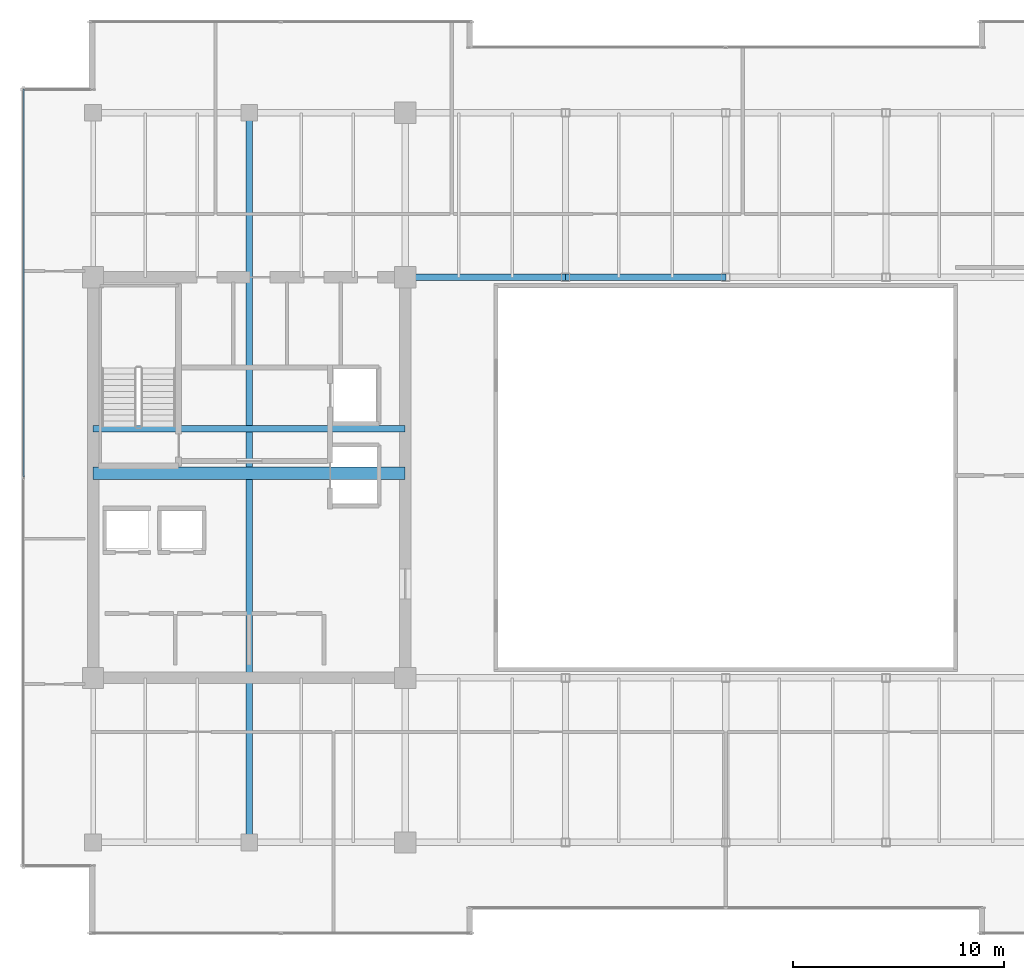
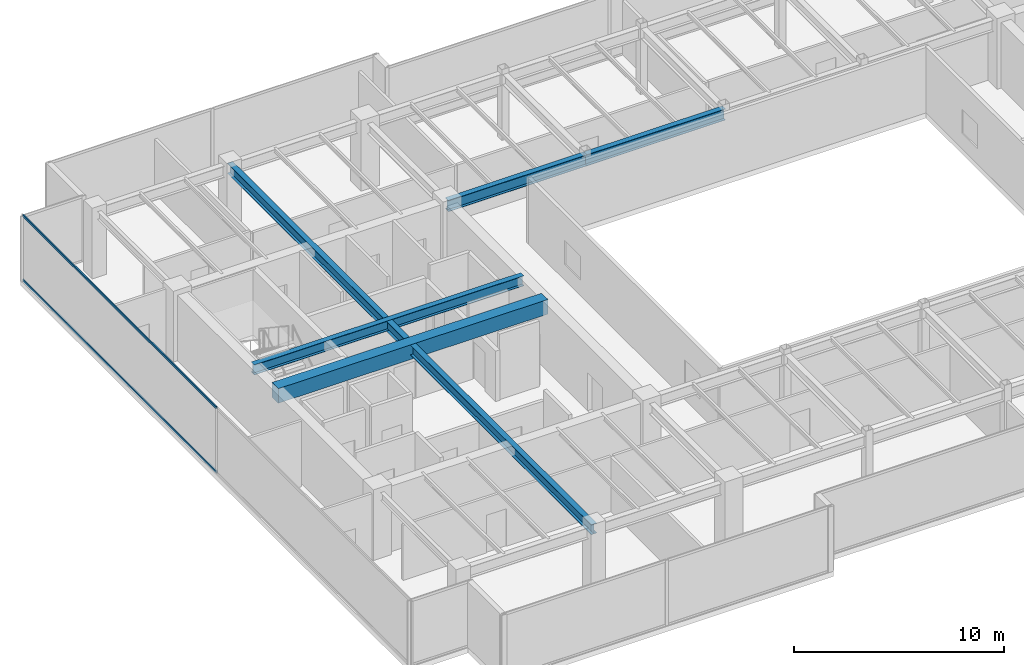
# One storey, part 10 of 33: 5 beams, 2 members, 1 element without a shape of its own.
"""IFC4 building model written with IfcOpenShell, lengths in metres."""

from ifc_helpers import new_model, si_unit, direction, frame, origin, origin_2d, place, context, subcontext, project, spatial, rectangle, hollow_rectangle, i_section, extrude, source, transform, mapped, material, layer, layer_set, material_profile, profile_set, type_object, type_shapes, element, aggregate, save


model = new_model("IFC4")

# Units and contexts
model_context = context("Model", 3, precision=1e-05, world=origin(), true_north=direction((0.0, 1.0)))
body_context = subcontext(model_context, "Body", "Model", "MODEL_VIEW")
ifc_project = project(units=[si_unit("LENGTHUNIT", "METRE"), si_unit("AREAUNIT", "SQUARE_METRE"), si_unit("VOLUMEUNIT", "CUBIC_METRE"), si_unit("PLANEANGLEUNIT", "RADIAN"), si_unit("MASSUNIT", "GRAM", prefix="KILO")], contexts=[model_context])

# Site, building, storey
site_placement = place(None, origin())
site = spatial("IfcSite", under=ifc_project, at=site_placement, CompositionType="ELEMENT")
building_placement = place(site_placement, origin())
building = spatial("IfcBuilding", under=site, at=building_placement, Name="Haelvirn Gate Laboratories", CompositionType="ELEMENT")
storey_placement = place(building_placement, frame((0.0, 0.0, 258.800048828125)))
storey = spatial("IfcBuildingStorey", under=building, at=storey_placement, Name="L62", CompositionType="ELEMENT", Elevation=258.800048828125)

# Beams
ifc_material_1 = material(Name="Steel SM355", Category="steel")
ifc_material_profile_1 = material_profile(ifc_material_1, i_section(OverallWidth=0.300048828125, OverallDepth=0.587890625, WebThickness=0.011962890625, FlangeThickness=0.02001953125, at=origin_2d()), Name="H-588x300x12x20")
ifc_profile_set_1 = profile_set([ifc_material_profile_1], Name="Steel SM355")
beam_type_1 = type_object("IfcBeamType", Name="BM-G-588", PredefinedType="BEAM", material=ifc_profile_set_1)
shared_shape_1 = source(origin(), body_context, "Body", "SweptSolid", [
    extrude(i_section(OverallWidth=0.300048828125, OverallDepth=0.587890625, WebThickness=0.011962890625, FlangeThickness=0.02001953125, at=origin_2d()), origin(), (0.0, 0.0, 1.0), 14.800048828125),
])
beam_1_placement = place(storey_placement, frame((7.39990234375, 26.6201171875, 3.505859375), z_axis=(1.0, 0.0, 0.0), x_axis=(0.0, 1.0, 0.0)))
element("IfcBeam", 1, at=beam_1_placement, inside=storey, type_object=beam_type_1, Name="L62 Stair ST1 Landing Header", PredefinedType="BEAM", context=body_context, shape_type="MappedRepresentation", body=[
    mapped(shared_shape_1, transform((0.0, 0.0, 0.0), scale=1.0)),
])
shared_shape_2 = source(origin(), body_context, "Body", "SweptSolid", [
    extrude(i_section(OverallWidth=0.300048828125, OverallDepth=0.587890625, WebThickness=0.011962890625, FlangeThickness=0.02001953125, at=origin_2d()), origin(), (0.0, 0.0, 1.0), 34.60009765625),
])
type_shapes(beam_type_1, [shared_shape_1, shared_shape_2])
beam_2_placement = place(storey_placement, frame((14.800048828125, 7.0, 3.505859375), z_axis=(0.0, 1.0, 0.0), x_axis=(-1.0, 0.0, 0.0)))
element("IfcBeam", 2, at=beam_2_placement, inside=storey, type_object=beam_type_1, Name="L62 Frame Girder X14.8 (7.0-41.6)", PredefinedType="BEAM", context=body_context, shape_type="MappedRepresentation", body=[
    mapped(shared_shape_2, transform((0.0, 0.0, 0.0), scale=1.0)),
])
ifc_material_2 = material(Name="Concrete C50/60", Category="concrete")
ifc_material_profile_2 = material_profile(ifc_material_2, rectangle(XDim=0.60009765625, YDim=0.85009765625, at=origin_2d()), Name="RCB-600x850")
ifc_profile_set_2 = profile_set([ifc_material_profile_2], Name="Concrete C50/60")
beam_type_2 = type_object("IfcBeamType", Name="BM-RCB-850", PredefinedType="LINTEL", material=ifc_profile_set_2)
shared_shape_3 = source(origin(), body_context, "Body", "SweptSolid", [
    extrude(rectangle(XDim=0.60009765625, YDim=0.85009765625, at=origin_2d()), origin(), (0.0, 0.0, 1.0), 14.800048828125),
])
type_shapes(beam_type_2, [shared_shape_3])
beam_3_placement = place(storey_placement, frame((7.39990234375, 24.5, 3.375), z_axis=(1.0, 0.0, 0.0), x_axis=(0.0, 1.0, 0.0)))
element("IfcBeam", 3, at=beam_3_placement, inside=storey, type_object=beam_type_2, Name="L62 West Core Coupling Beam", PredefinedType="LINTEL", context=body_context, shape_type="MappedRepresentation", body=[
    mapped(shared_shape_3, transform((0.0, 0.0, 0.0), scale=1.0)),
])
ifc_material_profile_3 = material_profile(ifc_material_1, i_section(OverallWidth=0.300048828125, OverallDepth=0.64990234375, WebThickness=0.012939453125, FlangeThickness=0.02197265625, at=origin_2d()), Name="H-650x300x13x22")
ifc_profile_set_3 = profile_set([ifc_material_profile_3], Name="Steel SM355")
beam_type_3 = type_object("IfcBeamType", Name="BM-G-650", PredefinedType="BEAM", material=ifc_profile_set_3)
shared_shape_4 = source(origin(), body_context, "Body", "SweptSolid", [
    extrude(i_section(OverallWidth=0.300048828125, OverallDepth=0.64990234375, WebThickness=0.012939453125, FlangeThickness=0.02197265625, at=origin_2d()), origin(), (0.0, 0.0, 1.0), 7.60009765625),
])
beam_4_placement = place(storey_placement, frame((22.199951171875, 33.800048828125, 3.474853515625), z_axis=(1.0, 0.0, 0.0), x_axis=(0.0, 1.0, 0.0)))
element("IfcBeam", 4, at=beam_4_placement, inside=storey, type_object=beam_type_3, Name="L62 Primary Girder Y33.8 (22.2-29.8)", PredefinedType="BEAM", context=body_context, shape_type="MappedRepresentation", body=[
    mapped(shared_shape_4, transform((0.0, 0.0, 0.0), scale=1.0)),
])
shared_shape_5 = source(origin(), body_context, "Body", "SweptSolid", [
    extrude(i_section(OverallWidth=0.300048828125, OverallDepth=0.64990234375, WebThickness=0.012939453125, FlangeThickness=0.02197265625, at=origin_2d()), origin(), (0.0, 0.0, 1.0), 7.599853515625),
])
type_shapes(beam_type_3, [shared_shape_4, shared_shape_5])
beam_5_placement = place(storey_placement, frame((29.800048828125, 33.800048828125, 3.474853515625), z_axis=(1.0, 0.0, 0.0), x_axis=(0.0, 1.0, 0.0)))
element("IfcBeam", 5, at=beam_5_placement, inside=storey, type_object=beam_type_3, Name="L62 Primary Girder Y33.8 (29.8-37.4)", PredefinedType="BEAM", context=body_context, shape_type="MappedRepresentation", body=[
    mapped(shared_shape_5, transform((0.0, 0.0, 0.0), scale=1.0)),
])

# Curtain wall, members
ifc_material_3 = material(Name="Anodised bronze unitised aluminium & triple low-E glass", Category="aluminium")
ifc_layer = layer(ifc_material_3, 0.176025390625, Name="CW-SYS-4")
ifc_layer_set = layer_set([ifc_layer], Name="Anodised bronze unitised aluminium & triple low-E glass")
curtain_wall_type = type_object("IfcCurtainWallType", Name="CW-SYS-4", PredefinedType="NOTDEFINED", material=ifc_layer_set)
curtain_wall_placement = place(storey_placement, origin())
curtain_wall = element("IfcCurtainWall", 6, at=curtain_wall_placement, inside=storey, type_object=curtain_wall_type, Name="L62 Unitised Curtain Wall CW-L62-P0-E17", PredefinedType="NOTDEFINED")
ifc_material_4 = material(Name="Extruded aluminium 6063-T6 (anodised bronze)", Category="aluminium")
ifc_material_profile_4 = material_profile(ifc_material_4, hollow_rectangle(XDim=0.06494140625, YDim=0.139892578125, WallThickness=0.00390625, at=origin_2d()), Name="CWT-140x65x4")
ifc_profile_set_4 = profile_set([ifc_material_profile_4], Name="Extruded aluminium 6063-T6 (anodised bronze)")
member_type = type_object("IfcMemberType", Name="CWT-T140", PredefinedType="USERDEFINED", material=ifc_profile_set_4)
shared_shape_6 = source(origin(), body_context, "Body", "SweptSolid", [
    extrude(hollow_rectangle(XDim=0.06494140625, YDim=0.139892578125, WallThickness=0.00390625, at=origin_2d()), origin(), (0.0, 0.0, 1.0), 18.39501953125),
])
type_shapes(member_type, [shared_shape_6])
member_1_placement = place(storey_placement, frame((4.10009765625, 42.72998046875, 0.032470703125), z_axis=(0.0, -1.0, 0.0), x_axis=(1.0, 0.0, 0.0)))
member_1 = element("IfcMember", 7, at=member_1_placement, type_object=member_type, Name="CW4 transom 1.1", ObjectType="TRANSOM", PredefinedType="USERDEFINED", context=body_context, shape_type="MappedRepresentation", body=[
    mapped(shared_shape_6, transform((0.0, 0.0, 0.0), scale=1.0)),
])
member_2_placement = place(storey_placement, frame((4.10009765625, 42.72998046875, 3.767333984375), z_axis=(0.0, -1.0, 0.0), x_axis=(1.0, 0.0, 0.0)))
member_2 = element("IfcMember", 8, at=member_2_placement, type_object=member_type, Name="CW4 transom 1.2", ObjectType="TRANSOM", PredefinedType="USERDEFINED", context=body_context, shape_type="MappedRepresentation", body=[
    mapped(shared_shape_6, transform((0.0, 0.0, 0.0), scale=1.0)),
])
aggregate(curtain_wall, [member_1, member_2])

save(model, "model.ifc")
